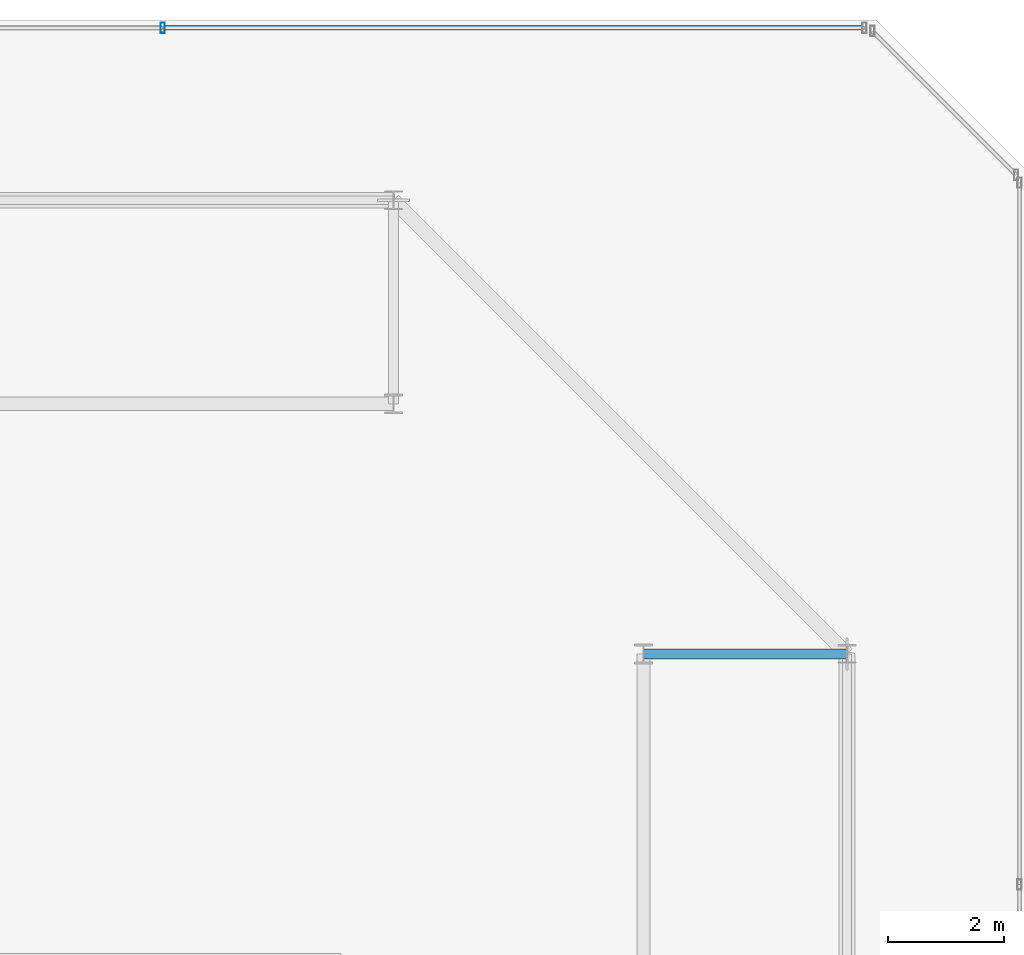
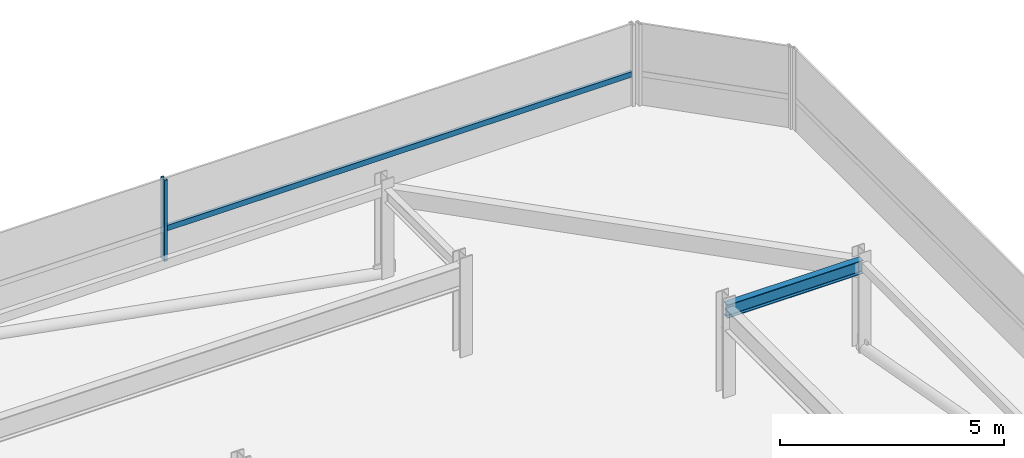
# One storey, part 35 of 42: 2 members, 1 beam, 1 element without a shape of its own.
"""IFC4 building model written with IfcOpenShell, lengths in metres."""

from ifc_helpers import new_model, si_unit, direction, frame, origin, origin_2d, place, context, subcontext, project, spatial, hollow_rectangle, i_section, extrude, material, material_profile, profile_set, type_object, element, aggregate, save


model = new_model("IFC4")

# Units and contexts
model_context = context("Model", 3, precision=1e-05, world=origin(), true_north=direction((0.0, 1.0)))
body_context = subcontext(model_context, "Body", "Model", "MODEL_VIEW")
ifc_project = project(units=[si_unit("LENGTHUNIT", "METRE"), si_unit("AREAUNIT", "SQUARE_METRE"), si_unit("VOLUMEUNIT", "CUBIC_METRE"), si_unit("PLANEANGLEUNIT", "RADIAN"), si_unit("MASSUNIT", "GRAM", prefix="KILO")], contexts=[model_context])

# Site, building, storey
site_placement = place(None, origin())
site = spatial("IfcSite", under=ifc_project, at=site_placement, CompositionType="ELEMENT")
building_placement = place(site_placement, origin())
building = spatial("IfcBuilding", under=site, at=building_placement, Name="Thornwick Lancets Civic Towers", CompositionType="ELEMENT")
storey_placement = place(building_placement, frame((0.0, 0.0, 286.800048828125)))
storey = spatial("IfcBuildingStorey", under=building, at=storey_placement, Name="C03", CompositionType="ELEMENT", Elevation=286.800048828125)

# Beam
ifc_material_1 = material(Name="Steel S355JR", Category="steel")
ifc_material_profile_1 = material_profile(ifc_material_1, i_section(OverallWidth=0.173095703125, OverallDepth=0.36328125, WebThickness=0.009033203125, FlangeThickness=0.015625, FilletRadius=0.01025390625, at=origin_2d()), Name="UKB 356x171x67")
ifc_profile_set_1 = profile_set([ifc_material_profile_1], Name="Steel S355JR")
beam_type = type_object("IfcBeamType", Name="BM_JOIST_356_67", PredefinedType="JOIST", material=ifc_profile_set_1)
beam_placement = place(storey_placement, frame((105.800048828125, 40.0, 2.25830078125), z_axis=(1.0, 0.0, 0.0), x_axis=(0.0, 1.0, 0.0)))
element("IfcBeam", 1, at=beam_placement, inside=storey, type_object=beam_type, Name="BM-RAD-C03-B03", PredefinedType="JOIST", context=body_context, shape_type="SweptSolid", body=[
    extrude(i_section(OverallWidth=0.173095703125, OverallDepth=0.36328125, WebThickness=0.009033203125, FlangeThickness=0.015625, FilletRadius=0.01025390625, at=origin_2d()), origin(), (0.0, 0.0, 1.0), 3.5),
])

# Curtain wall, members
ifc_material_2 = material(Name="Crown ring acoustic-louvre and glazing screen wall", Category="glass")
curtain_wall_type = type_object("IfcCurtainWallType", Name="CW_SYS_07", PredefinedType="NOTDEFINED", material=ifc_material_2)
curtain_wall_placement = place(storey_placement, origin())
curtain_wall = element("IfcCurtainWall", 2, at=curtain_wall_placement, inside=storey, type_object=curtain_wall_type, Name="C03 Curtain Wall CW-C03-B-E4", PredefinedType="NOTDEFINED")
ifc_material_3 = material(Name="Thermally broken bronze aluminium S355", Category="steel")
ifc_material_profile_2 = material_profile(ifc_material_3, hollow_rectangle(XDim=0.074951171875, YDim=0.179931640625, WallThickness=0.006103515625, at=origin_2d()), Name="RHS 180x75x6")
ifc_profile_set_2 = profile_set([ifc_material_profile_2], Name="Thermally broken bronze aluminium S355")
member_type_1 = type_object("IfcMemberType", Name="CW_MUL_180", PredefinedType="MULLION", material=ifc_profile_set_2)
member_1_placement = place(storey_placement, frame((97.53369140625, 50.7646484375, 0.0), z_axis=(0.0, 0.0, 1.0), x_axis=(1.0, 0.0, 0.0)))
member_1 = element("IfcMember", 3, at=member_1_placement, type_object=member_type_1, Name="CW-C03-B-E4 Mullion 1", PredefinedType="MULLION", context=body_context, shape_type="SweptSolid", body=[
    extrude(hollow_rectangle(XDim=0.074951171875, YDim=0.179931640625, WallThickness=0.006103515625, at=origin_2d()), origin(), (0.0, 0.0, 1.0), 2.219970703125),
])
ifc_material_profile_3 = material_profile(ifc_material_3, hollow_rectangle(XDim=0.074951171875, YDim=0.14990234375, WallThickness=0.0048828125, at=origin_2d()), Name="RHS 150x75x5")
ifc_profile_set_3 = profile_set([ifc_material_profile_3], Name="Thermally broken bronze aluminium S355")
member_type_2 = type_object("IfcMemberType", Name="CW_TRN_150", PredefinedType="USERDEFINED", material=ifc_profile_set_3)
member_2_placement = place(storey_placement, frame((109.581298828125, 50.7646484375, 0.849853515625), z_axis=(-1.0, 0.0, 0.0), x_axis=(0.0, -1.0, 0.0)))
member_2 = element("IfcMember", 4, at=member_2_placement, type_object=member_type_2, Name="CW-C03-B-E4 Transom 0", ObjectType="TRANSOM", PredefinedType="USERDEFINED", context=body_context, shape_type="SweptSolid", body=[
    extrude(hollow_rectangle(XDim=0.074951171875, YDim=0.14990234375, WallThickness=0.0048828125, at=origin_2d()), origin(), (0.0, 0.0, 1.0), 12.027587890625),
])
aggregate(curtain_wall, [member_1, member_2])

save(model, "model.ifc")
